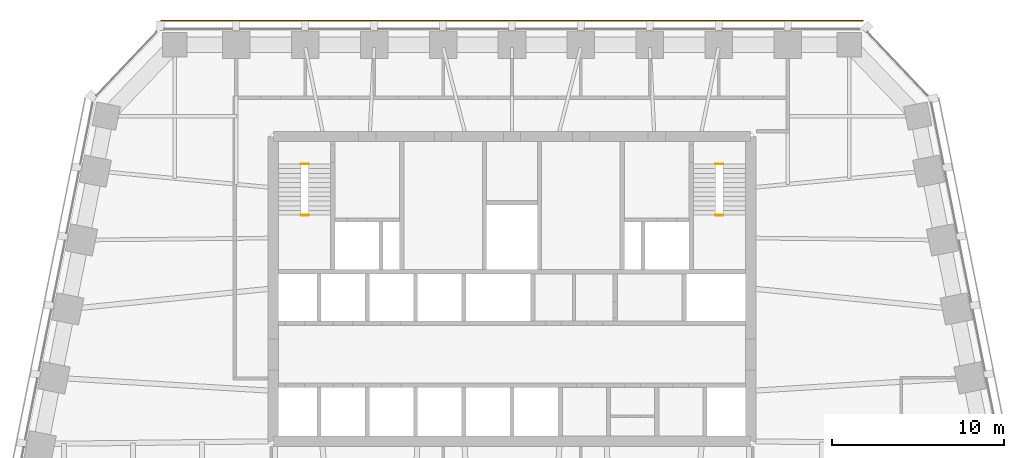
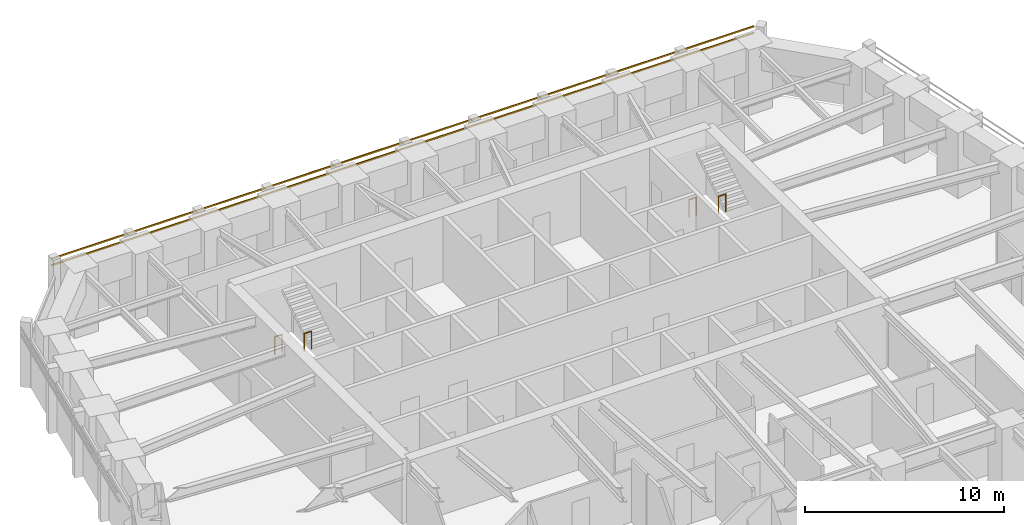
# One storey, part 10 of 10: 4 railings, 2 shading devices.
"""IFC4 building model written with IfcOpenShell, lengths in metres."""

from ifc_helpers import new_model, si_unit, direction, frame, origin, origin_2d, place, context, subcontext, project, spatial, rectangle, circle, extrude, material, material_profile, profile_set, type_object, element, save


model = new_model("IFC4")

# Units and contexts
model_context = context("Model", 3, precision=1e-05, world=origin(), true_north=direction((0.0, 1.0)))
body_context = subcontext(model_context, "Body", "Model", "MODEL_VIEW")
ifc_project = project(units=[si_unit("LENGTHUNIT", "METRE"), si_unit("AREAUNIT", "SQUARE_METRE"), si_unit("VOLUMEUNIT", "CUBIC_METRE"), si_unit("PLANEANGLEUNIT", "RADIAN"), si_unit("MASSUNIT", "GRAM", prefix="KILO")], contexts=[model_context])

# Site, building, storey
site_placement = place(None, origin())
site = spatial("IfcSite", under=ifc_project, at=site_placement, CompositionType="ELEMENT")
building_placement = place(site_placement, origin())
building = spatial("IfcBuilding", under=site, at=building_placement, Name="Isbrekke Arena Tower", CompositionType="ELEMENT")
storey_placement = place(building_placement, frame((0.0, 0.0, 182.0)))
storey = spatial("IfcBuildingStorey", under=building, at=storey_placement, Name="L41", CompositionType="ELEMENT", Elevation=182.0)

# Shading devices
ifc_material_1 = material(Name="Terracotta", Category="masonry")
ifc_material_profile = material_profile(ifc_material_1, rectangle(XDim=0.06005859375, YDim=0.06005859375, at=origin_2d()), Name="BAGUETTE 60X60")
ifc_profile_set = profile_set([ifc_material_profile], Name="Terracotta")
shading_device_type = type_object("IfcShadingDeviceType", Name="BG1 TERRACOTTA BAGUETTE 60 x 60", PredefinedType="USERDEFINED", material=ifc_profile_set)
for number, where, z_axis, x_axis, name in (
    (1, (20.39990234375, 30.580078125, 3.280029296875), (-1.0, 0.0, 0.0), (0.0, -1.0, 0.0), "BG1 terracotta baguette N1 L41"),
    (2, (20.39990234375, 30.580078125, 3.679931640625), (-1.0, 0.0, 0.0), (0.0, -1.0, 0.0), "BG1 terracotta baguette N2 L41"),
):
    element("IfcShadingDevice", number, at=place(storey_placement, frame(where, z_axis=z_axis, x_axis=x_axis)), inside=storey, type_object=shading_device_type, Name=name, ObjectType="TERRACOTTA BAGUETTE", PredefinedType="USERDEFINED", context=body_context, shape_type="SweptSolid", body=[
        extrude(rectangle(XDim=0.06005859375, YDim=0.06005859375, at=origin_2d()), origin(), (0.0, 0.0, 1.0), 40.7998046875),
    ])

# Railings
ifc_material_2 = material(Name="Steel stair guard, vertical bars, steel handrail", Category="steel")
railing_type = type_object("IfcRailingType", Name="GR3 STAIR WELL GUARD 1100", PredefinedType="GUARDRAIL", material=ifc_material_2)
for number, where, name in (
    (3, (-12.25, 22.25, 0.0), "GR3 stair well guard ST1 L41"),
    (4, (-12.25, 19.280029296875, 2.0), "GR3 stair well guard ST1 L41"),
    (5, (11.824951171875, 22.25, 0.0), "GR3 stair well guard ST2 L41"),
    (6, (11.824951171875, 19.280029296875, 2.0), "GR3 stair well guard ST2 L41"),
):
    element("IfcRailing", number, at=place(storey_placement, frame(where)), inside=storey, type_object=railing_type, Name=name, PredefinedType="GUARDRAIL", context=body_context, shape_type="SweptSolid", body=[
        extrude(circle(Radius=0.02392578125, at=origin_2d()), frame((0.0, 0.0, 1.076171875), z_axis=(1.0, 0.0, 0.0), x_axis=(0.0, 1.0, 0.0)), (0.0, 0.0, 1.0), 0.425048828125),
        extrude(circle(Radius=0.02099609375, at=origin_2d()), origin(), (0.0, 0.0, 1.0), 1.052001953125),
        extrude(circle(Radius=0.02099609375, at=origin_2d()), frame((0.425048828125, 0.0, 0.0)), (0.0, 0.0, 1.0), 1.052001953125),
    ])

save(model, "model.ifc")
